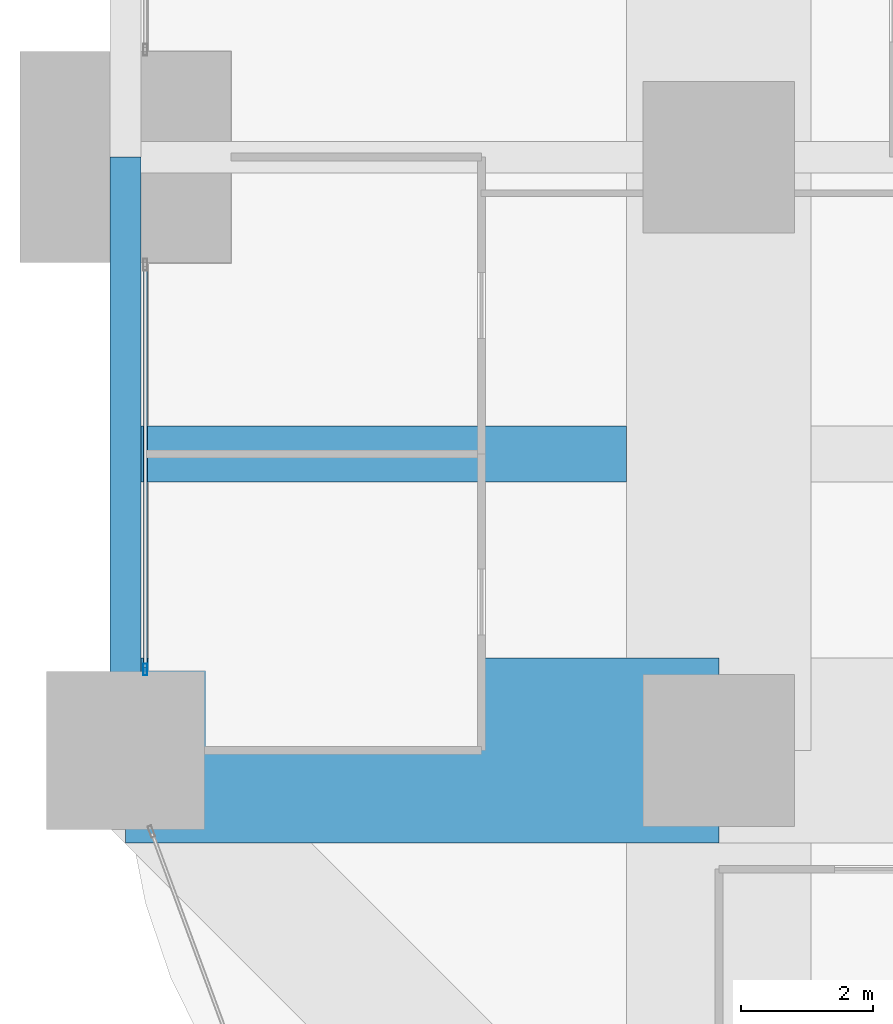
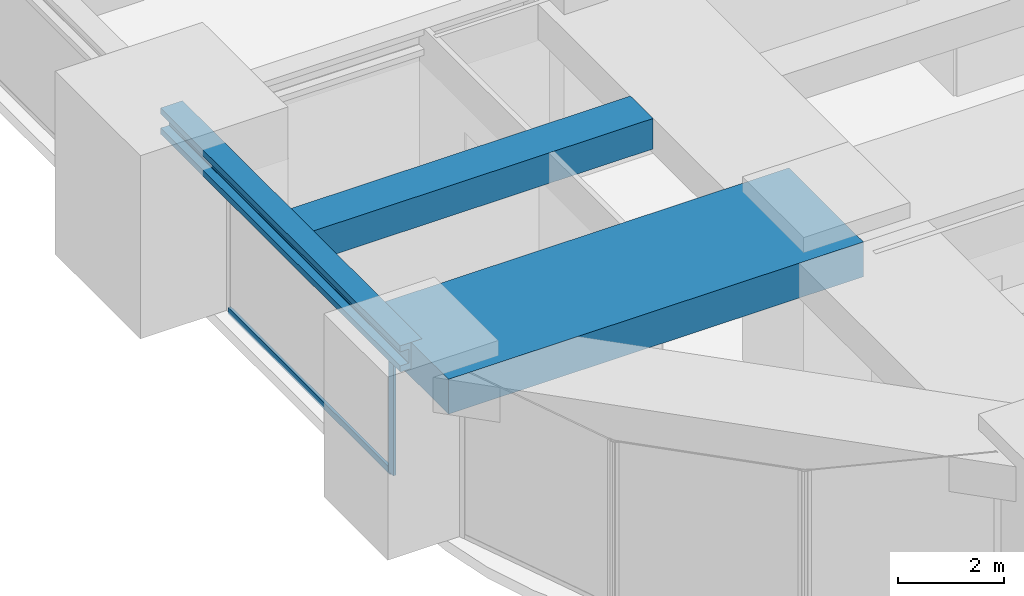
# One storey, part 4 of 42: 3 beams, 2 members, 1 element without a shape of its own.
"""IFC4 building model written with IfcOpenShell, lengths in metres."""

from ifc_helpers import new_model, si_unit, direction, frame, origin, origin_2d, place, context, subcontext, project, spatial, rectangle, hollow_rectangle, i_section, extrude, material, material_profile, profile_set, type_object, element, aggregate, save


model = new_model("IFC4")

# Units and contexts
model_context = context("Model", 3, precision=1e-05, world=origin(), true_north=direction((0.0, 1.0)))
body_context = subcontext(model_context, "Body", "Model", "MODEL_VIEW")
ifc_project = project(units=[si_unit("LENGTHUNIT", "METRE"), si_unit("AREAUNIT", "SQUARE_METRE"), si_unit("VOLUMEUNIT", "CUBIC_METRE"), si_unit("PLANEANGLEUNIT", "RADIAN"), si_unit("MASSUNIT", "GRAM", prefix="KILO")], contexts=[model_context])

# Site, building, storey
site_placement = place(None, origin())
site = spatial("IfcSite", under=ifc_project, at=site_placement, CompositionType="ELEMENT")
building_placement = place(site_placement, origin())
building = spatial("IfcBuilding", under=site, at=building_placement, Name="Zorevar Civic Tower", CompositionType="ELEMENT")
storey_placement = place(building_placement, frame((0.0, 0.0, 75.800048828125)))
storey = spatial("IfcBuildingStorey", under=building, at=storey_placement, Name="L18", CompositionType="ELEMENT", Elevation=75.800048828125)

# Beams
ifc_material_1 = material(Name="Concrete C50/60", Category="concrete")
ifc_material_profile_1 = material_profile(ifc_material_1, rectangle(XDim=2.800048828125, YDim=0.800048828125, at=origin_2d()), Name="RC 2800x800")
ifc_profile_set_1 = profile_set([ifc_material_profile_1], Name="Concrete C50/60")
beam_type_1 = type_object("IfcBeamType", Name="Beam RC 2800x800", PredefinedType="BEAM", material=ifc_profile_set_1)
beam_1_placement = place(storey_placement, frame((0.0, 9.0, 3.449951171875), z_axis=(1.0, 0.0, 0.0), x_axis=(0.0, 1.0, 0.0)))
element("IfcBeam", 1, at=beam_1_placement, inside=storey, type_object=beam_type_1, Name="Girder L19", PredefinedType="BEAM", context=body_context, shape_type="SweptSolid", body=[
    extrude(rectangle(XDim=2.800048828125, YDim=0.800048828125, at=origin_2d()), origin(), (0.0, 0.0, 1.0), 9.0),
])
ifc_material_2 = material(Name="Concrete C50/60", Category="concrete")
ifc_material_profile_2 = material_profile(ifc_material_2, rectangle(XDim=0.85009765625, YDim=0.699951171875, at=origin_2d()), Name="RC 850x700")
ifc_profile_set_2 = profile_set([ifc_material_profile_2], Name="Concrete C50/60")
beam_type_2 = type_object("IfcBeamType", Name="Beam RC 850x700", PredefinedType="BEAM", material=ifc_profile_set_2)
beam_2_placement = place(storey_placement, frame((0.238037109375, 13.5, 3.5), z_axis=(1.0, 0.0, 0.0), x_axis=(0.0, 1.0, 0.0)))
element("IfcBeam", 2, at=beam_2_placement, inside=storey, type_object=beam_type_2, Name="Secondary beam L19", PredefinedType="BEAM", context=body_context, shape_type="SweptSolid", body=[
    extrude(rectangle(XDim=0.85009765625, YDim=0.699951171875, at=origin_2d()), origin(), (0.0, 0.0, 1.0), 7.362060546875),
])
ifc_material_3 = material(Name="Steel S460M (HISTAR 460)", Category="steel")
ifc_material_profile_3 = material_profile(ifc_material_3, i_section(OverallWidth=0.47607421875, OverallDepth=0.60009765625, WebThickness=0.10009765625, FlangeThickness=0.139892578125, FilletRadius=0.014892578125, at=origin_2d()), Name="HD 400x1299")
ifc_profile_set_3 = profile_set([ifc_material_profile_3], Name="Steel S460M (HISTAR 460)")
beam_type_3 = type_object("IfcBeamType", Name="Belt chord HD 400x1299", PredefinedType="BEAM", material=ifc_profile_set_3)
beam_3_placement = place(storey_placement, frame((0.0, 9.0, 3.550048828125), z_axis=(0.0, 1.0, 0.0), x_axis=(-1.0, 0.0, 0.0)))
element("IfcBeam", 3, at=beam_3_placement, inside=storey, type_object=beam_type_3, Name="Belt chord L19", PredefinedType="BEAM", context=body_context, shape_type="SweptSolid", body=[
    extrude(i_section(OverallWidth=0.47607421875, OverallDepth=0.60009765625, WebThickness=0.10009765625, FlangeThickness=0.139892578125, FilletRadius=0.014892578125, at=origin_2d()), origin(), (0.0, 0.0, 1.0), 9.0),
])

# Curtain wall, members
ifc_material_4 = material(Name="Dark grey solar-control glass in black aluminium frame", Category="aluminium")
curtain_wall_type = type_object("IfcCurtainWallType", Name="Curtain wall CW2 low zone", PredefinedType="NOTDEFINED", material=ifc_material_4)
curtain_wall_placement = place(storey_placement, origin())
curtain_wall = element("IfcCurtainWall", 4, at=curtain_wall_placement, inside=storey, type_object=curtain_wall_type, Name="CW2 L18", PredefinedType="NOTDEFINED")
ifc_material_5 = material(Name="Aluminium, black anodised", Category="aluminium")
ifc_material_profile_4 = material_profile(ifc_material_5, hollow_rectangle(XDim=0.06005859375, YDim=0.179931640625, WallThickness=0.00390625, at=origin_2d()), Name="AL 180x60x4")
ifc_profile_set_4 = profile_set([ifc_material_profile_4], Name="Aluminium, black anodised")
member_type_1 = type_object("IfcMemberType", Name="CW2 mullion AL 180x60x4", PredefinedType="MULLION", material=ifc_profile_set_4)
member_1_placement = place(storey_placement, frame((0.300048828125, 10.22998046875, 0.0), z_axis=(0.0, 0.0, 1.0), x_axis=(-1.0, 0.0, 0.0)))
member_1 = element("IfcMember", 5, at=member_1_placement, type_object=member_type_1, Name="CW2 mullion 1", PredefinedType="MULLION", context=body_context, shape_type="SweptSolid", body=[
    extrude(hollow_rectangle(XDim=0.06005859375, YDim=0.179931640625, WallThickness=0.00390625, at=origin_2d()), origin(), (0.0, 0.0, 1.0), 3.050048828125),
])
ifc_material_6 = material(Name="Aluminium, black anodised", Category="aluminium")
ifc_material_profile_5 = material_profile(ifc_material_6, hollow_rectangle(XDim=0.06005859375, YDim=0.14990234375, WallThickness=0.00390625, at=origin_2d()), Name="AL 150x60x4")
ifc_profile_set_5 = profile_set([ifc_material_profile_5], Name="Aluminium, black anodised")
member_type_2 = type_object("IfcMemberType", Name="CW2 transom AL 150x60x4", PredefinedType="USERDEFINED", material=ifc_profile_set_5)
member_2_placement = place(storey_placement, frame((0.300048828125, 10.260009765625, 0.030029296875), z_axis=(0.0, 1.0, 0.0), x_axis=(-1.0, 0.0, 0.0)))
member_2 = element("IfcMember", 6, at=member_2_placement, type_object=member_type_2, Name="CW2 sill transom", ObjectType="TRANSOM", PredefinedType="USERDEFINED", context=body_context, shape_type="SweptSolid", body=[
    extrude(hollow_rectangle(XDim=0.06005859375, YDim=0.14990234375, WallThickness=0.00390625, at=origin_2d()), origin(), (0.0, 0.0, 1.0), 6.080078125),
])
aggregate(curtain_wall, [member_1, member_2])

save(model, "model.ifc")
